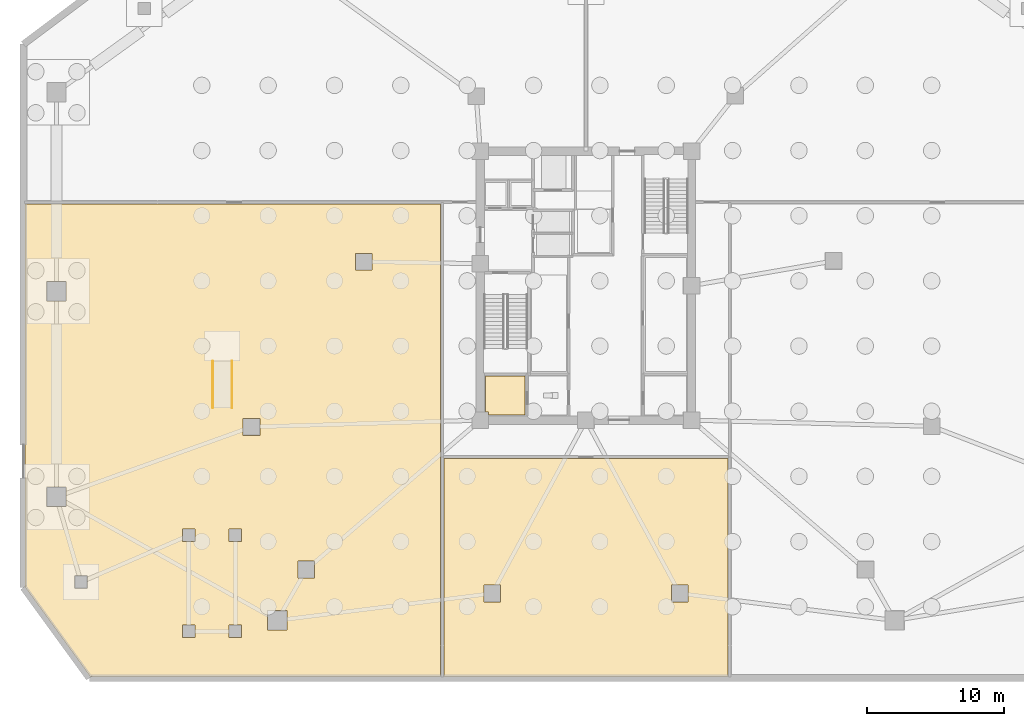
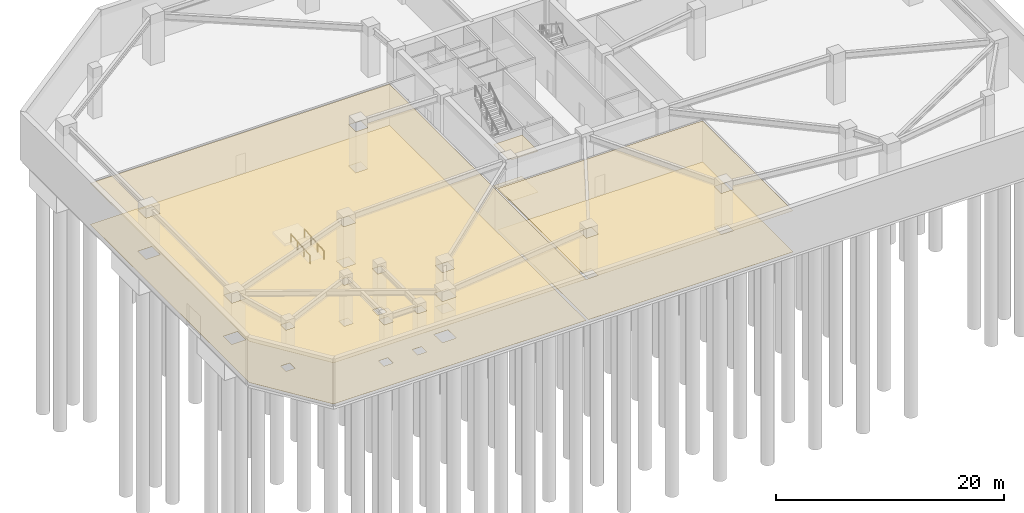
# One storey, part 6 of 12: 6 coverings, 2 railings.
"""IFC4 building model written with IfcOpenShell, lengths in metres."""

from ifc_helpers import new_model, si_unit, direction, frame, origin, origin_2d, place, context, subcontext, project, spatial, polyline, circle, outline, extrude, material, layer, layer_set, type_object, element, save


model = new_model("IFC4")

# Units and contexts
model_context = context("Model", 3, precision=1e-05, world=origin(), true_north=direction((0.0, 1.0)))
body_context = subcontext(model_context, "Body", "Model", "MODEL_VIEW")
ifc_project = project(units=[si_unit("LENGTHUNIT", "METRE"), si_unit("AREAUNIT", "SQUARE_METRE"), si_unit("VOLUMEUNIT", "CUBIC_METRE"), si_unit("PLANEANGLEUNIT", "RADIAN"), si_unit("MASSUNIT", "GRAM", prefix="KILO")], contexts=[model_context])

# Site, building, storey
site_placement = place(None, origin())
site = spatial("IfcSite", under=ifc_project, at=site_placement, CompositionType="ELEMENT")
building_placement = place(site_placement, origin())
building = spatial("IfcBuilding", under=site, at=building_placement, Name="Savorim Split Tower", CompositionType="ELEMENT")
storey_placement = place(building_placement, frame((0.0, 0.0, -5.39990234375)))
storey = spatial("IfcBuildingStorey", under=building, at=storey_placement, Name="B01", CompositionType="ELEMENT", Elevation=-5.39990234375)

# Coverings
ifc_material_1 = material(Name="Mineral Fibre Acoustic Ceiling")
ifc_layer_1 = layer(ifc_material_1, 0.02490234375)
ifc_layer_set_1 = layer_set([ifc_layer_1], Name="COV-CEIL-25")
covering_type_1 = type_object("IfcCoveringType", Name="COV-CEIL-25", PredefinedType="CEILING", material=ifc_layer_set_1)
covering_1_placement = place(storey_placement, frame((0.0, 0.0, 4.39990234375)))
element("IfcCovering", 1, at=covering_1_placement, inside=storey, type_object=covering_type_1, Name="B01 Housekeeping Store Acoustic Ceiling", PredefinedType="CEILING", context=body_context, shape_type="SweptSolid", body=[
    extrude(outline(polyline([(-4.429931640625, -6.179931640625), (-7.320068359375, -6.179931640625), (-7.320068359375, -8.7900390625), (-7.090087890625, -8.7900390625), (-7.090087890625, -9.02001953125), (-4.429931640625, -9.02001953125), (-4.429931640625, -6.179931640625)])), origin(), (0.0, 0.0, 1.0), 0.02490234375),
])
covering_2_placement = place(storey_placement, frame((0.0, 0.0, 4.39990234375)))
element("IfcCovering", 2, at=covering_2_placement, inside=storey, type_object=covering_type_1, Name="B01 Bicycle Hub Acoustic Ceiling", PredefinedType="CEILING", context=body_context, shape_type="SweptSolid", body=[
    extrude(outline(polyline([(-40.8798828125, 6.360107421875), (-40.8798828125, -21.56103515625), (-36.138916015625, -28.080078125), (-10.60009765625, -28.080078125), (-10.60009765625, -12.080078125), (-10.60009765625, 6.360107421875), (-40.8798828125, 6.360107421875)]), holes=[polyline([(-37.889892578125, 0.7099609375), (-39.31005859375, 0.7099609375), (-39.31005859375, -0.7099609375), (-37.889892578125, -0.7099609375), (-37.889892578125, 0.7099609375)]), polyline([(-39.31005859375, -14.2900390625), (-39.31005859375, -15.7099609375), (-37.889892578125, -15.7099609375), (-37.889892578125, -14.2900390625), (-39.31005859375, -14.2900390625)]), polyline([(-23.2099609375, -24.7099609375), (-21.7900390625, -24.7099609375), (-21.7900390625, -23.2900390625), (-23.2099609375, -23.2900390625), (-23.2099609375, -24.7099609375)]), polyline([(-19.774169921875, -20.90185546875), (-19.774169921875, -19.681884765625), (-20.994140625, -19.681884765625), (-20.994140625, -20.90185546875), (-19.774169921875, -20.90185546875)]), polyline([(-15.57861328125, 1.543701171875), (-15.57861328125, 2.763671875), (-16.798583984375, 2.763671875), (-16.798583984375, 1.543701171875), (-15.57861328125, 1.543701171875)]), polyline([(-23.7744140625, -9.2841796875), (-24.994384765625, -9.2841796875), (-24.994384765625, -10.50439453125), (-23.7744140625, -10.50439453125), (-23.7744140625, -9.2841796875)]), polyline([(-36.340087890625, -20.739990234375), (-37.260009765625, -20.739990234375), (-37.260009765625, -21.659912109375), (-36.340087890625, -21.659912109375), (-36.340087890625, -20.739990234375)]), polyline([(-29.409912109375, -25.260009765625), (-28.489990234375, -25.260009765625), (-28.489990234375, -24.340087890625), (-29.409912109375, -24.340087890625), (-29.409912109375, -25.260009765625)]), polyline([(-25.090087890625, -25.260009765625), (-25.090087890625, -24.340087890625), (-26.010009765625, -24.340087890625), (-26.010009765625, -25.260009765625), (-25.090087890625, -25.260009765625)]), polyline([(-28.489990234375, -17.340087890625), (-29.409912109375, -17.340087890625), (-29.409912109375, -18.260009765625), (-28.489990234375, -18.260009765625), (-28.489990234375, -17.340087890625)]), polyline([(-26.010009765625, -17.340087890625), (-26.010009765625, -18.260009765625), (-25.090087890625, -18.260009765625), (-25.090087890625, -17.340087890625), (-26.010009765625, -17.340087890625)])]), origin(), (0.0, 0.0, 1.0), 0.02490234375),
])
covering_3_placement = place(storey_placement, frame((0.0, 0.0, 4.39990234375)))
element("IfcCovering", 3, at=covering_3_placement, inside=storey, type_object=covering_type_1, Name="B01 Domestic and Fire Water Tank Room Acoustic Ceiling", PredefinedType="CEILING", context=body_context, shape_type="SweptSolid", body=[
    extrude(outline(polyline([(-10.35009765625, -12.199951171875), (-10.35009765625, -28.080078125), (10.35009765625, -28.080078125), (10.35009765625, -12.199951171875), (-10.35009765625, -12.199951171875)]), holes=[polyline([(-6.2216796875, -21.421875), (-7.44189453125, -21.421875), (-7.44189453125, -22.641845703125), (-6.2216796875, -22.641845703125), (-6.2216796875, -21.421875)]), polyline([(6.2216796875, -21.421875), (6.2216796875, -22.641845703125), (7.44189453125, -22.641845703125), (7.44189453125, -21.421875), (6.2216796875, -21.421875)])]), origin(), (0.0, 0.0, 1.0), 0.02490234375),
])
ifc_material_2 = material(Name="Porcelain Stoneware Flooring", Category="masonry")
ifc_layer_2 = layer(ifc_material_2, 0.02001953125)
ifc_layer_set_2 = layer_set([ifc_layer_2], Name="COV-FLOR-20")
covering_type_2 = type_object("IfcCoveringType", Name="COV-FLOR-20", PredefinedType="FLOORING", material=ifc_layer_set_2)
covering_4_placement = place(storey_placement, origin())
element("IfcCovering", 4, at=covering_4_placement, inside=storey, type_object=covering_type_2, Name="B01 Housekeeping Store Porcelain Flooring", PredefinedType="FLOORING", context=body_context, shape_type="SweptSolid", body=[
    extrude(outline(polyline([(-4.429931640625, -6.179931640625), (-7.320068359375, -6.179931640625), (-7.320068359375, -8.7900390625), (-7.090087890625, -8.7900390625), (-7.090087890625, -9.02001953125), (-4.429931640625, -9.02001953125), (-4.429931640625, -6.179931640625)])), origin(), (0.0, 0.0, 1.0), 0.02001953125),
])
covering_5_placement = place(storey_placement, origin())
element("IfcCovering", 5, at=covering_5_placement, inside=storey, type_object=covering_type_2, Name="B01 Bicycle Hub Porcelain Flooring", PredefinedType="FLOORING", context=body_context, shape_type="SweptSolid", body=[
    extrude(outline(polyline([(-40.8798828125, 6.360107421875), (-40.8798828125, -21.56103515625), (-36.138916015625, -28.080078125), (-10.60009765625, -28.080078125), (-10.60009765625, -12.080078125), (-10.60009765625, 6.360107421875), (-40.8798828125, 6.360107421875)]), holes=[polyline([(-37.889892578125, 0.7099609375), (-39.31005859375, 0.7099609375), (-39.31005859375, -0.7099609375), (-37.889892578125, -0.7099609375), (-37.889892578125, 0.7099609375)]), polyline([(-39.31005859375, -14.2900390625), (-39.31005859375, -15.7099609375), (-37.889892578125, -15.7099609375), (-37.889892578125, -14.2900390625), (-39.31005859375, -14.2900390625)]), polyline([(-23.2099609375, -24.7099609375), (-21.7900390625, -24.7099609375), (-21.7900390625, -23.2900390625), (-23.2099609375, -23.2900390625), (-23.2099609375, -24.7099609375)]), polyline([(-19.774169921875, -20.90185546875), (-19.774169921875, -19.681884765625), (-20.994140625, -19.681884765625), (-20.994140625, -20.90185546875), (-19.774169921875, -20.90185546875)]), polyline([(-15.57861328125, 1.543701171875), (-15.57861328125, 2.763671875), (-16.798583984375, 2.763671875), (-16.798583984375, 1.543701171875), (-15.57861328125, 1.543701171875)]), polyline([(-23.7744140625, -9.2841796875), (-24.994384765625, -9.2841796875), (-24.994384765625, -10.50439453125), (-23.7744140625, -10.50439453125), (-23.7744140625, -9.2841796875)]), polyline([(-36.340087890625, -20.739990234375), (-37.260009765625, -20.739990234375), (-37.260009765625, -21.659912109375), (-36.340087890625, -21.659912109375), (-36.340087890625, -20.739990234375)]), polyline([(-29.409912109375, -25.260009765625), (-28.489990234375, -25.260009765625), (-28.489990234375, -24.340087890625), (-29.409912109375, -24.340087890625), (-29.409912109375, -25.260009765625)]), polyline([(-25.090087890625, -25.260009765625), (-25.090087890625, -24.340087890625), (-26.010009765625, -24.340087890625), (-26.010009765625, -25.260009765625), (-25.090087890625, -25.260009765625)]), polyline([(-28.489990234375, -17.340087890625), (-29.409912109375, -17.340087890625), (-29.409912109375, -18.260009765625), (-28.489990234375, -18.260009765625), (-28.489990234375, -17.340087890625)]), polyline([(-26.010009765625, -17.340087890625), (-26.010009765625, -18.260009765625), (-25.090087890625, -18.260009765625), (-25.090087890625, -17.340087890625), (-26.010009765625, -17.340087890625)])]), origin(), (0.0, 0.0, 1.0), 0.02001953125),
])
covering_6_placement = place(storey_placement, origin())
element("IfcCovering", 6, at=covering_6_placement, inside=storey, type_object=covering_type_2, Name="B01 Domestic and Fire Water Tank Room Porcelain Flooring", PredefinedType="FLOORING", context=body_context, shape_type="SweptSolid", body=[
    extrude(outline(polyline([(-10.35009765625, -12.199951171875), (-10.35009765625, -28.080078125), (10.35009765625, -28.080078125), (10.35009765625, -12.199951171875), (-10.35009765625, -12.199951171875)]), holes=[polyline([(-6.2216796875, -21.421875), (-7.44189453125, -21.421875), (-7.44189453125, -22.641845703125), (-6.2216796875, -22.641845703125), (-6.2216796875, -21.421875)]), polyline([(6.2216796875, -21.421875), (6.2216796875, -22.641845703125), (7.44189453125, -22.641845703125), (7.44189453125, -21.421875), (6.2216796875, -21.421875)])]), origin(), (0.0, 0.0, 1.0), 0.02001953125),
])

# Railings
ifc_material_3 = material(Name="Galvanised Painted Steel Balustrade", Category="steel")
railing_type = type_object("IfcRailingType", Name="RLG-HR-900", PredefinedType="HANDRAIL", material=ifc_material_3)
for number, where, name in (
    (7, (-25.800048828125, -8.5, 0.0), "B01 Bicycle Hub Threshold Ramp Handrail 1"),
    (8, (-27.199951171875, -8.5, 0.0), "B01 Bicycle Hub Threshold Ramp Handrail 2"),
):
    element("IfcRailing", number, at=place(storey_placement, frame(where)), inside=storey, type_object=railing_type, Name=name, PredefinedType="HANDRAIL", context=body_context, shape_type="SweptSolid", body=[
        extrude(circle(Radius=0.02392578125, at=origin_2d()), frame((0.0, 0.0, 0.8759765625), z_axis=(0.0, 0.996631104841, 0.082014881958), x_axis=(-1.0, 0.0, 0.0)), (0.0, 0.0, 1.0), 3.411376953125),
        extrude(circle(Radius=0.02099609375, at=origin_2d()), origin(), (0.0, 0.0, 1.0), 0.851806640625),
        extrude(circle(Radius=0.02099609375, at=origin_2d()), frame((0.0, 1.13330078125, 0.09326171875)), (0.0, 0.0, 1.0), 0.851806640625),
        extrude(circle(Radius=0.02099609375, at=origin_2d()), frame((0.0, 2.2666015625, 0.1865234375)), (0.0, 0.0, 1.0), 0.851806640625),
        extrude(circle(Radius=0.02099609375, at=origin_2d()), frame((0.0, 3.39990234375, 0.27978515625)), (0.0, 0.0, 1.0), 0.851806640625),
    ])

save(model, "model.ifc")
